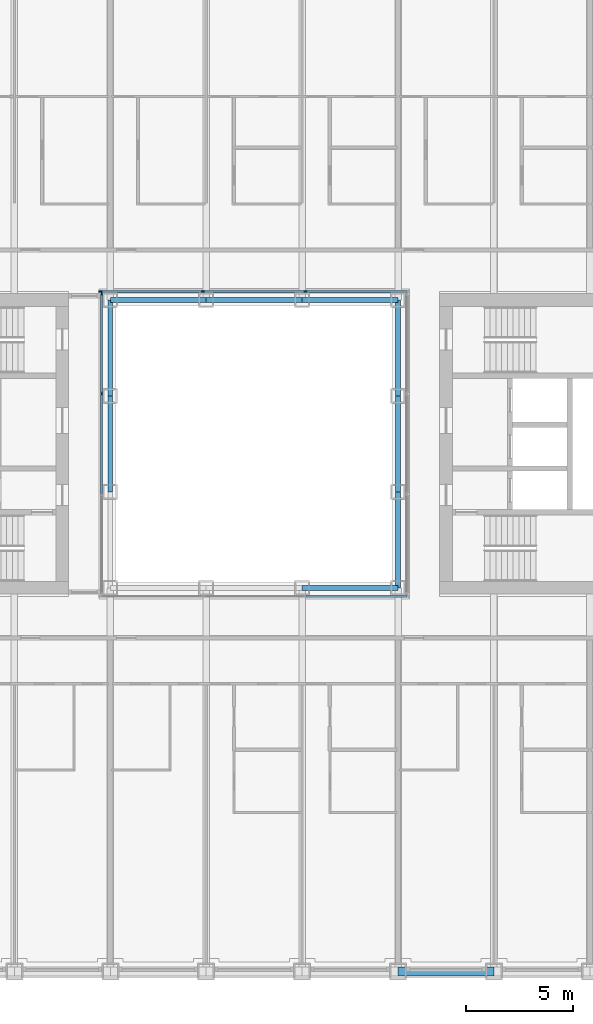
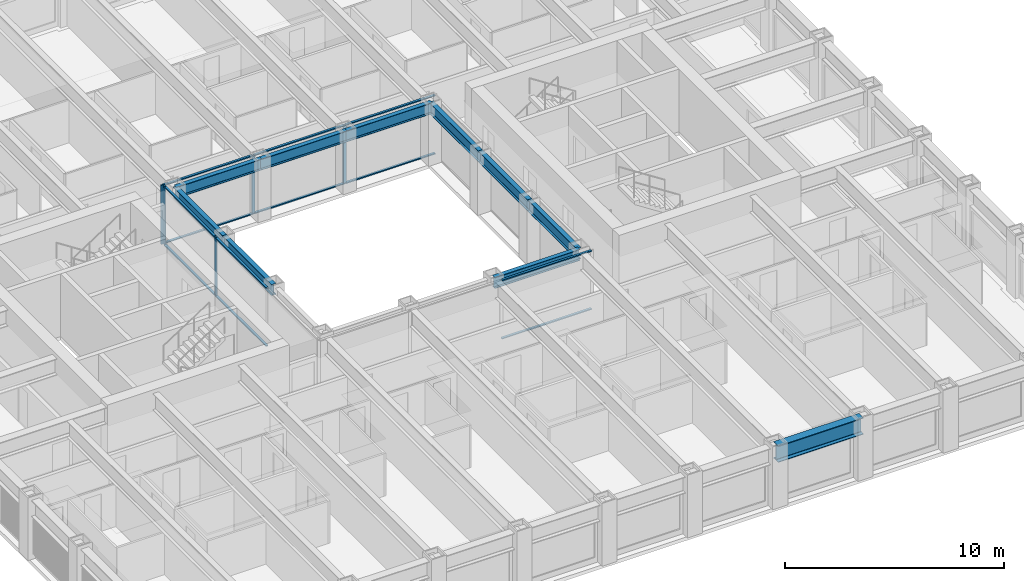
# One storey, part 4 of 21: 17 members, 10 beams, 3 elements without a shape of their own.
"""IFC4 building model written with IfcOpenShell, lengths in metres."""

from ifc_helpers import new_model, si_unit, direction, frame, origin, origin_2d, place, context, subcontext, project, spatial, rectangle, i_section, extrude, material, material_profile, profile_set, type_object, element, aggregate, save


model = new_model("IFC4")

# Units and contexts
model_context = context("Model", 3, precision=1e-05, world=origin(), true_north=direction((0.0, 1.0)))
body_context = subcontext(model_context, "Body", "Model", "MODEL_VIEW")
ifc_project = project(units=[si_unit("LENGTHUNIT", "METRE"), si_unit("AREAUNIT", "SQUARE_METRE"), si_unit("VOLUMEUNIT", "CUBIC_METRE"), si_unit("PLANEANGLEUNIT", "RADIAN"), si_unit("MASSUNIT", "GRAM", prefix="KILO")], contexts=[model_context])

# Site, building, storey
site_placement = place(None, origin())
site = spatial("IfcSite", under=ifc_project, at=site_placement, CompositionType="ELEMENT")
building_placement = place(site_placement, origin())
building = spatial("IfcBuilding", under=site, at=building_placement, Name="Msasa Ring Tower", CompositionType="ELEMENT")
storey_placement = place(building_placement, frame((0.0, 0.0, 51.0)))
storey = spatial("IfcBuildingStorey", under=building, at=storey_placement, Name="L12", CompositionType="ELEMENT", Elevation=51.0)

# Curtain wall, members
ifc_material_1 = material(Name="Aluminium curtain wall with clear glass", Category="aluminium")
curtain_wall_type = type_object("IfcCurtainWallType", Name="CW-W LIGHT WELL CURTAIN WALL", PredefinedType="NOTDEFINED", material=ifc_material_1)
curtain_wall_1_placement = place(storey_placement, origin())
curtain_wall_1 = element("IfcCurtainWall", 1, at=curtain_wall_1_placement, inside=storey, type_object=curtain_wall_type, Name="Light well curtain wall N L12", PredefinedType="NOTDEFINED")
ifc_material_2 = material(Name="Aluminium mullion", Category="aluminium")
ifc_material_profile_1 = material_profile(ifc_material_2, rectangle(XDim=0.06005859375, YDim=0.159912109375, at=origin_2d()), Name="AL 60x160")
ifc_profile_set_1 = profile_set([ifc_material_profile_1], Name="Aluminium mullion")
member_type_1 = type_object("IfcMemberType", Name="CW-W MULLION 60x160", PredefinedType="MULLION", material=ifc_profile_set_1)
member_1_placement = place(storey_placement, frame((-7.199951171875, 7.14990234375, 0.0), z_axis=(0.0, 0.0, 1.0), x_axis=(0.0, 1.0, 0.0)))
member_1 = element("IfcMember", 2, at=member_1_placement, type_object=member_type_1, Name="CW-W mullion 1", PredefinedType="MULLION", context=body_context, shape_type="SweptSolid", body=[
    extrude(rectangle(XDim=0.06005859375, YDim=0.159912109375, at=origin_2d()), origin(), (0.0, 0.0, 1.0), 3.300048828125),
])
member_2_placement = place(storey_placement, frame((-2.409912109375, 7.14990234375, 0.0), z_axis=(0.0, 0.0, 1.0), x_axis=(0.0, 1.0, 0.0)))
member_2 = element("IfcMember", 3, at=member_2_placement, type_object=member_type_1, Name="CW-W mullion 2", PredefinedType="MULLION", context=body_context, shape_type="SweptSolid", body=[
    extrude(rectangle(XDim=0.06005859375, YDim=0.159912109375, at=origin_2d()), origin(), (0.0, 0.0, 1.0), 3.300048828125),
])
member_3_placement = place(storey_placement, frame((2.409912109375, 7.14990234375, 0.0), z_axis=(0.0, 0.0, 1.0), x_axis=(0.0, 1.0, 0.0)))
member_3 = element("IfcMember", 4, at=member_3_placement, type_object=member_type_1, Name="CW-W mullion 3", PredefinedType="MULLION", context=body_context, shape_type="SweptSolid", body=[
    extrude(rectangle(XDim=0.06005859375, YDim=0.159912109375, at=origin_2d()), origin(), (0.0, 0.0, 1.0), 3.300048828125),
])

curtain_wall_2_placement = place(storey_placement, origin())
curtain_wall_2 = element("IfcCurtainWall", 5, at=curtain_wall_2_placement, inside=storey, type_object=curtain_wall_type, Name="Light well curtain wall W L12", PredefinedType="NOTDEFINED")
member_4_placement = place(storey_placement, frame((-7.14990234375, 2.356689453125, 0.0), z_axis=(0.0, 0.0, 1.0), x_axis=(-1.0, 0.0, 0.0)))
member_4 = element("IfcMember", 6, at=member_4_placement, type_object=member_type_1, Name="CW-W mullion 3", PredefinedType="MULLION", context=body_context, shape_type="SweptSolid", body=[
    extrude(rectangle(XDim=0.06005859375, YDim=0.159912109375, at=origin_2d()), origin(), (0.0, 0.0, 1.0), 3.300048828125),
])
member_5_placement = place(storey_placement, frame((-7.14990234375, 7.0400390625, 0.0), z_axis=(0.0, 0.0, 1.0), x_axis=(-1.0, 0.0, 0.0)))
member_5 = element("IfcMember", 7, at=member_5_placement, type_object=member_type_1, Name="CW-W mullion 4", PredefinedType="MULLION", context=body_context, shape_type="SweptSolid", body=[
    extrude(rectangle(XDim=0.06005859375, YDim=0.159912109375, at=origin_2d()), origin(), (0.0, 0.0, 1.0), 3.300048828125),
])

# Member
ifc_material_3 = material(Name="Aluminium transom", Category="aluminium")
ifc_material_profile_2 = material_profile(ifc_material_3, rectangle(XDim=0.1201171875, YDim=0.06005859375, at=origin_2d()), Name="AL 60x120")
ifc_profile_set_2 = profile_set([ifc_material_profile_2], Name="Aluminium transom")
member_type_2 = type_object("IfcMemberType", Name="CW-W TRANSOM 60x120", PredefinedType="USERDEFINED", material=ifc_profile_set_2)
member_6_placement = place(storey_placement, frame((-7.169921875, 7.14990234375, 0.030029296875), z_axis=(1.0, 0.0, 0.0), x_axis=(0.0, 1.0, 0.0)))
member_6 = element("IfcMember", 8, at=member_6_placement, type_object=member_type_2, Name="CW-W transom 1.1", ObjectType="TRANSOM", PredefinedType="USERDEFINED", context=body_context, shape_type="SweptSolid", body=[
    extrude(rectangle(XDim=0.1201171875, YDim=0.06005859375, at=origin_2d()), origin(), (0.0, 0.0, 1.0), 4.72998046875),
])

member_7_placement = place(storey_placement, frame((-7.169921875, 7.14990234375, 3.27001953125), z_axis=(1.0, 0.0, 0.0), x_axis=(0.0, 1.0, 0.0)))
member_7 = element("IfcMember", 9, at=member_7_placement, type_object=member_type_2, Name="CW-W transom 1.2", ObjectType="TRANSOM", PredefinedType="USERDEFINED", context=body_context, shape_type="SweptSolid", body=[
    extrude(rectangle(XDim=0.1201171875, YDim=0.06005859375, at=origin_2d()), origin(), (0.0, 0.0, 1.0), 4.72998046875),
])

member_8_placement = place(storey_placement, frame((-2.3798828125, 7.14990234375, 0.030029296875), z_axis=(1.0, 0.0, 0.0), x_axis=(0.0, 1.0, 0.0)))
member_8 = element("IfcMember", 10, at=member_8_placement, type_object=member_type_2, Name="CW-W transom 2.1", ObjectType="TRANSOM", PredefinedType="USERDEFINED", context=body_context, shape_type="SweptSolid", body=[
    extrude(rectangle(XDim=0.1201171875, YDim=0.06005859375, at=origin_2d()), origin(), (0.0, 0.0, 1.0), 4.759765625),
])

member_9_placement = place(storey_placement, frame((-2.3798828125, 7.14990234375, 3.27001953125), z_axis=(1.0, 0.0, 0.0), x_axis=(0.0, 1.0, 0.0)))
member_9 = element("IfcMember", 11, at=member_9_placement, type_object=member_type_2, Name="CW-W transom 2.2", ObjectType="TRANSOM", PredefinedType="USERDEFINED", context=body_context, shape_type="SweptSolid", body=[
    extrude(rectangle(XDim=0.1201171875, YDim=0.06005859375, at=origin_2d()), origin(), (0.0, 0.0, 1.0), 4.759765625),
])

member_10_placement = place(storey_placement, frame((2.43994140625, 7.14990234375, 0.030029296875), z_axis=(1.0, 0.0, 0.0), x_axis=(0.0, 1.0, 0.0)))
member_10 = element("IfcMember", 12, at=member_10_placement, type_object=member_type_2, Name="CW-W transom 3.1", ObjectType="TRANSOM", PredefinedType="USERDEFINED", context=body_context, shape_type="SweptSolid", body=[
    extrude(rectangle(XDim=0.1201171875, YDim=0.06005859375, at=origin_2d()), origin(), (0.0, 0.0, 1.0), 4.72998046875),
])

member_11_placement = place(storey_placement, frame((2.43994140625, 7.14990234375, 3.27001953125), z_axis=(1.0, 0.0, 0.0), x_axis=(0.0, 1.0, 0.0)))
member_11 = element("IfcMember", 13, at=member_11_placement, type_object=member_type_2, Name="CW-W transom 3.2", ObjectType="TRANSOM", PredefinedType="USERDEFINED", context=body_context, shape_type="SweptSolid", body=[
    extrude(rectangle(XDim=0.1201171875, YDim=0.06005859375, at=origin_2d()), origin(), (0.0, 0.0, 1.0), 4.72998046875),
])

aggregate(curtain_wall_1, [member_1, member_2, member_3, member_6, member_7, member_8, member_9, member_10, member_11])

# Curtain wall, members
curtain_wall_3_placement = place(storey_placement, origin())
curtain_wall_3 = element("IfcCurtainWall", 14, at=curtain_wall_3_placement, inside=storey, type_object=curtain_wall_type, Name="Light well curtain wall S L12", PredefinedType="NOTDEFINED")
member_12_placement = place(storey_placement, frame((2.43994140625, -7.14990234375, 0.030029296875), z_axis=(1.0, 0.0, 0.0), x_axis=(0.0, 1.0, 0.0)))
member_12 = element("IfcMember", 15, at=member_12_placement, type_object=member_type_2, Name="CW-W transom 3.1", ObjectType="TRANSOM", PredefinedType="USERDEFINED", context=body_context, shape_type="SweptSolid", body=[
    extrude(rectangle(XDim=0.1201171875, YDim=0.06005859375, at=origin_2d()), origin(), (0.0, 0.0, 1.0), 4.72998046875),
])
member_13_placement = place(storey_placement, frame((2.43994140625, -7.14990234375, 3.27001953125), z_axis=(1.0, 0.0, 0.0), x_axis=(0.0, 1.0, 0.0)))
member_13 = element("IfcMember", 16, at=member_13_placement, type_object=member_type_2, Name="CW-W transom 3.2", ObjectType="TRANSOM", PredefinedType="USERDEFINED", context=body_context, shape_type="SweptSolid", body=[
    extrude(rectangle(XDim=0.1201171875, YDim=0.06005859375, at=origin_2d()), origin(), (0.0, 0.0, 1.0), 4.72998046875),
])
aggregate(curtain_wall_3, [member_12, member_13])

# Member
member_14_placement = place(storey_placement, frame((-7.14990234375, -2.32666015625, 0.030029296875), z_axis=(0.0, 1.0, 0.0), x_axis=(-1.0, 0.0, 0.0)))
member_14 = element("IfcMember", 17, at=member_14_placement, type_object=member_type_2, Name="CW-W transom 2.1", ObjectType="TRANSOM", PredefinedType="USERDEFINED", context=body_context, shape_type="SweptSolid", body=[
    extrude(rectangle(XDim=0.1201171875, YDim=0.06005859375, at=origin_2d()), origin(), (0.0, 0.0, 1.0), 4.6533203125),
])

member_15_placement = place(storey_placement, frame((-7.14990234375, -2.32666015625, 3.27001953125), z_axis=(0.0, 1.0, 0.0), x_axis=(-1.0, 0.0, 0.0)))
member_15 = element("IfcMember", 18, at=member_15_placement, type_object=member_type_2, Name="CW-W transom 2.2", ObjectType="TRANSOM", PredefinedType="USERDEFINED", context=body_context, shape_type="SweptSolid", body=[
    extrude(rectangle(XDim=0.1201171875, YDim=0.06005859375, at=origin_2d()), origin(), (0.0, 0.0, 1.0), 4.6533203125),
])

member_16_placement = place(storey_placement, frame((-7.14990234375, 2.38671875, 0.030029296875), z_axis=(0.0, 1.0, 0.0), x_axis=(-1.0, 0.0, 0.0)))
member_16 = element("IfcMember", 19, at=member_16_placement, type_object=member_type_2, Name="CW-W transom 3.1", ObjectType="TRANSOM", PredefinedType="USERDEFINED", context=body_context, shape_type="SweptSolid", body=[
    extrude(rectangle(XDim=0.1201171875, YDim=0.06005859375, at=origin_2d()), origin(), (0.0, 0.0, 1.0), 4.623291015625),
])

member_17_placement = place(storey_placement, frame((-7.14990234375, 2.38671875, 3.27001953125), z_axis=(0.0, 1.0, 0.0), x_axis=(-1.0, 0.0, 0.0)))
member_17 = element("IfcMember", 20, at=member_17_placement, type_object=member_type_2, Name="CW-W transom 3.2", ObjectType="TRANSOM", PredefinedType="USERDEFINED", context=body_context, shape_type="SweptSolid", body=[
    extrude(rectangle(XDim=0.1201171875, YDim=0.06005859375, at=origin_2d()), origin(), (0.0, 0.0, 1.0), 4.623291015625),
])

aggregate(curtain_wall_2, [member_4, member_5, member_14, member_15, member_16, member_17])

# Beams
ifc_material_4 = material(Name="Steel S355", Category="steel")
ifc_material_profile_3 = material_profile(ifc_material_4, i_section(OverallWidth=0.230224609375, OverallDepth=0.6171875, WebThickness=0.01318359375, FlangeThickness=0.022216796875, FilletRadius=0.0126953125, at=origin_2d()), Name="UB 610x229x140")
ifc_profile_set_3 = profile_set([ifc_material_profile_3], Name="Steel S355")
beam_type_1 = type_object("IfcBeamType", Name="RB1 UB 610x229x140", PredefinedType="BEAM", material=ifc_profile_set_3)
for number, where, z_axis, x_axis, name in (
    (21, (2.25, -6.75, 2.991455078125), (1.0, 0.0, 0.0), (0.0, 1.0, 0.0), "Inner ring beam IR+2.25-6.75 under L13"),
    (22, (6.75, -6.75, 2.991455078125), (0.0, 1.0, 0.0), (-1.0, 0.0, 0.0), "Inner ring beam IR+6.75-6.75 under L13"),
    (23, (6.75, -2.25, 2.991455078125), (0.0, 1.0, 0.0), (-1.0, 0.0, 0.0), "Inner ring beam IR+6.75-2.25 under L13"),
    (24, (6.75, 2.25, 2.991455078125), (0.0, 1.0, 0.0), (-1.0, 0.0, 0.0), "Inner ring beam IR+6.75+2.25 under L13"),
    (25, (6.75, 6.75, 2.991455078125), (-1.0, 0.0, 0.0), (0.0, -1.0, 0.0), "Inner ring beam IR+6.75+6.75 under L13"),
    (26, (2.25, 6.75, 2.991455078125), (-1.0, 0.0, 0.0), (0.0, -1.0, 0.0), "Inner ring beam IR+2.25+6.75 under L13"),
    (27, (-2.25, 6.75, 2.991455078125), (-1.0, 0.0, 0.0), (0.0, -1.0, 0.0), "Inner ring beam IR-2.25+6.75 under L13"),
    (28, (-6.75, 6.75, 2.991455078125), (0.0, -1.0, 0.0), (1.0, 0.0, 0.0), "Inner ring beam IR-6.75+6.75 under L13"),
    (29, (-6.75, 2.25, 2.991455078125), (0.0, -1.0, 0.0), (1.0, 0.0, 0.0), "Inner ring beam IR-6.75+2.25 under L13"),
):
    element("IfcBeam", number, at=place(storey_placement, frame(where, z_axis=z_axis, x_axis=x_axis)), inside=storey, type_object=beam_type_1, Name=name, PredefinedType="BEAM", context=body_context, shape_type="SweptSolid", body=[
        extrude(i_section(OverallWidth=0.230224609375, OverallDepth=0.6171875, WebThickness=0.01318359375, FlangeThickness=0.022216796875, FilletRadius=0.0126953125, at=origin_2d()), origin(), (0.0, 0.0, 1.0), 4.5),
    ])
ifc_material_5 = material(Name="Steel S355", Category="steel")
ifc_material_profile_4 = material_profile(ifc_material_5, i_section(OverallWidth=0.42041015625, OverallDepth=0.9208984375, WebThickness=0.021484375, FlangeThickness=0.03662109375, FilletRadius=0.024169921875, at=origin_2d()), Name="UB 914x419x388")
ifc_profile_set_4 = profile_set([ifc_material_profile_4], Name="Steel S355")
beam_type_2 = type_object("IfcBeamType", Name="SB1 UB 914x419x388", PredefinedType="SPANDREL", material=ifc_profile_set_4)
beam_placement = place(storey_placement, frame((6.75, -24.75, 2.839599609375), z_axis=(1.0, 0.0, 0.0), x_axis=(0.0, 1.0, 0.0)))
element("IfcBeam", 30, at=beam_placement, inside=storey, type_object=beam_type_2, Name="Spandrel S+6.75 to S+11.25 under L13", PredefinedType="SPANDREL", context=body_context, shape_type="SweptSolid", body=[
    extrude(i_section(OverallWidth=0.42041015625, OverallDepth=0.9208984375, WebThickness=0.021484375, FlangeThickness=0.03662109375, FilletRadius=0.024169921875, at=origin_2d()), origin(), (0.0, 0.0, 1.0), 4.5),
])

save(model, "model.ifc")
